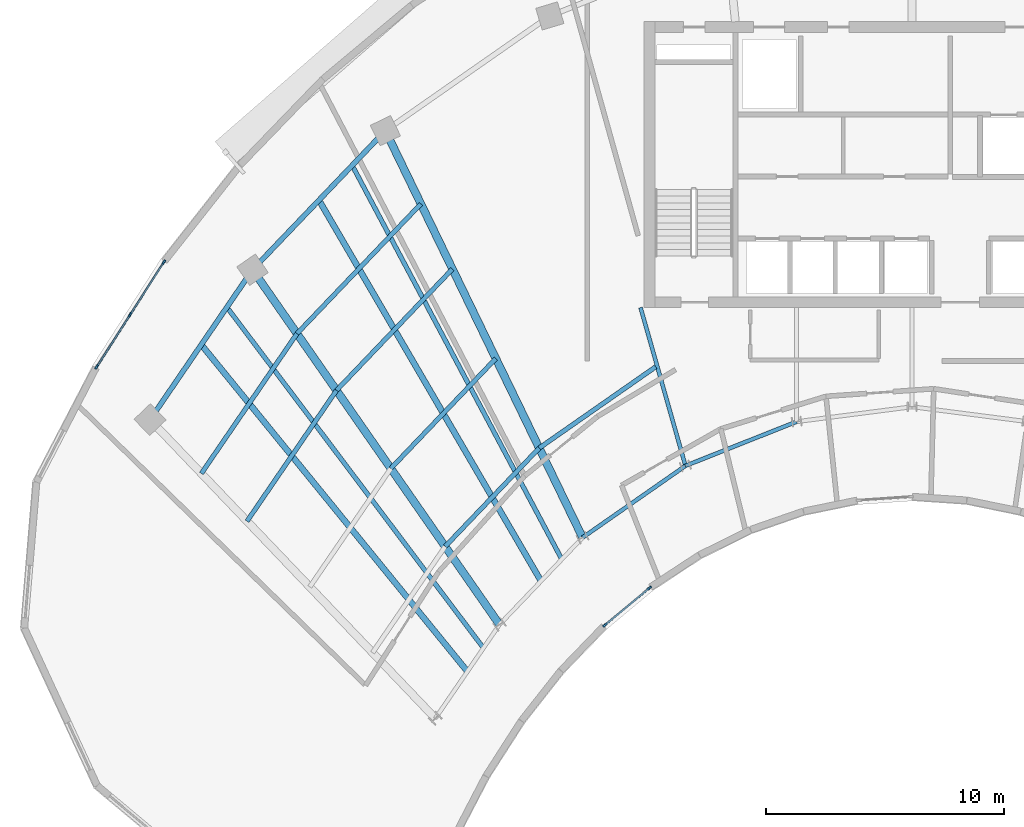
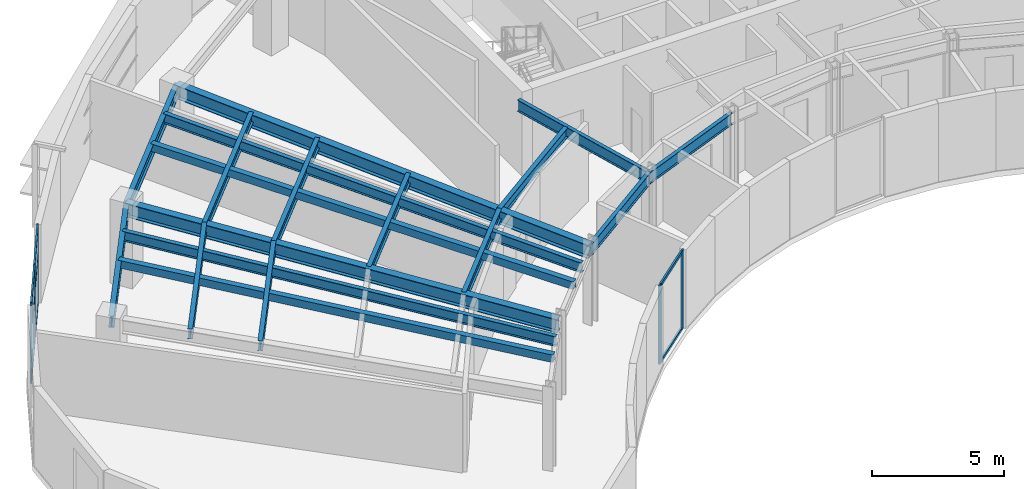
# One storey, part 2 of 14: 18 beams, 13 members, 2 elements without a shape of their own.
"""IFC4 building model written with IfcOpenShell, lengths in metres."""

from ifc_helpers import new_model, si_unit, direction, frame, origin, origin_2d, place, context, subcontext, project, spatial, rectangle, hollow_rectangle, i_section, extrude, source, transform, mapped, material, layer, layer_set, material_profile, profile_set, type_object, type_shapes, element, aggregate, save


model = new_model("IFC4")

# Units and contexts
model_context = context("Model", 3, precision=1e-05, world=origin(), true_north=direction((0.0, 1.0)))
body_context = subcontext(model_context, "Body", "Model", "MODEL_VIEW")
ifc_project = project(units=[si_unit("LENGTHUNIT", "METRE"), si_unit("AREAUNIT", "SQUARE_METRE"), si_unit("VOLUMEUNIT", "CUBIC_METRE"), si_unit("PLANEANGLEUNIT", "RADIAN"), si_unit("MASSUNIT", "GRAM", prefix="KILO")], contexts=[model_context])

# Site, building, storey
site_placement = place(None, origin())
site = spatial("IfcSite", under=ifc_project, at=site_placement, CompositionType="ELEMENT")
building_placement = place(site_placement, origin())
building = spatial("IfcBuilding", under=site, at=building_placement, Name="Breltana Convention Tower", CompositionType="ELEMENT")
storey_placement = place(building_placement, frame((0.0, 0.0, 215.699951171875)))
storey = spatial("IfcBuildingStorey", under=building, at=storey_placement, Name="L52", CompositionType="ELEMENT", Elevation=215.699951171875)

# Beams
ifc_material_1 = material(Name="Steel ASTM A992 Grade 50", Category="steel")
ifc_material_profile_1 = material_profile(ifc_material_1, i_section(OverallWidth=0.19091796875, OverallDepth=0.4599609375, WebThickness=0.010009765625, FlangeThickness=0.01611328125, at=origin_2d()), Name="W18X55")
ifc_profile_set_1 = profile_set([ifc_material_profile_1], Name="Steel ASTM A992 Grade 50")
beam_type_1 = type_object("IfcBeamType", Name="BM-JSG-07", PredefinedType="JOIST", material=ifc_profile_set_1)
shared_shape_1 = source(origin(), body_context, "Body", "SweptSolid", [
    extrude(i_section(OverallWidth=0.19091796875, OverallDepth=0.4599609375, WebThickness=0.010009765625, FlangeThickness=0.01611328125, at=origin_2d()), origin(), (0.0, 0.0, 1.0), 6.654541015625),
])
beam_1_placement = place(storey_placement, frame((20.0791015625, 51.23095703125, 3.41015625), z_axis=(0.564482668195, 0.82544492082, 0.0), x_axis=(-0.82544492082, 0.564482668195, 0.0)))
element("IfcBeam", 1, at=beam_1_placement, inside=storey, type_object=beam_type_1, Name="L52 Composite Floor Joist 01.3", PredefinedType="JOIST", context=body_context, shape_type="MappedRepresentation", body=[
    mapped(shared_shape_1, transform((0.0, 0.0, 0.0), scale=1.0)),
])
shared_shape_2 = source(origin(), body_context, "Body", "SweptSolid", [
    extrude(i_section(OverallWidth=0.19091796875, OverallDepth=0.4599609375, WebThickness=0.010009765625, FlangeThickness=0.01611328125, at=origin_2d()), origin(), (0.0, 0.0, 1.0), 7.111328125),
])
beam_2_placement = place(storey_placement, frame((18.162841796875, 53.2373046875, 3.41015625), z_axis=(0.564446356178, 0.825469751715, 0.0), x_axis=(-0.825469751715, 0.564446356178, 0.0)))
element("IfcBeam", 2, at=beam_2_placement, inside=storey, type_object=beam_type_1, Name="L52 Composite Floor Joist 01.4", PredefinedType="JOIST", context=body_context, shape_type="MappedRepresentation", body=[
    mapped(shared_shape_2, transform((0.0, 0.0, 0.0), scale=1.0)),
])
ifc_material_profile_2 = material_profile(ifc_material_1, hollow_rectangle(XDim=0.25, YDim=0.35009765625, WallThickness=0.011962890625, at=origin_2d()), Name="RHS350X250X12")
ifc_profile_set_2 = profile_set([ifc_material_profile_2], Name="Steel ASTM A992 Grade 50")
beam_type_2 = type_object("IfcBeamType", Name="BM-JSG-12", PredefinedType="JOIST", material=ifc_profile_set_2)
shared_shape_3 = source(origin(), body_context, "Body", "SweptSolid", [
    extrude(hollow_rectangle(XDim=0.25, YDim=0.35009765625, WallThickness=0.011962890625, at=origin_2d()), origin(), (0.0, 0.0, 1.0), 17.691650390625),
])
type_shapes(beam_type_2, [shared_shape_3])
beam_3_placement = place(storey_placement, frame((29.330810546875, 44.923583984375, 3.465087890625), z_axis=(-0.631476958478, 0.775394642044, 0.0), x_axis=(-0.775394642044, -0.631476958478, 0.0)))
element("IfcBeam", 3, at=beam_3_placement, inside=storey, type_object=beam_type_2, Name="L52 Mid-Bay Radial Trimmer 01", PredefinedType="JOIST", context=body_context, shape_type="MappedRepresentation", body=[
    mapped(shared_shape_3, transform((0.0, 0.0, 0.0), scale=1.0)),
])
shared_shape_4 = source(origin(), body_context, "Body", "SweptSolid", [
    extrude(i_section(OverallWidth=0.19091796875, OverallDepth=0.4599609375, WebThickness=0.010009765625, FlangeThickness=0.01611328125, at=origin_2d()), origin(), (0.0, 0.0, 1.0), 17.9072265625),
])
beam_4_placement = place(storey_placement, frame((30.00390625, 45.907958984375, 3.41015625), z_axis=(-0.601382105028, 0.798961553363, 0.0), x_axis=(-0.798961553363, -0.601382105028, 0.0)))
element("IfcBeam", 4, at=beam_4_placement, inside=storey, type_object=beam_type_1, Name="L52 Quarter-Bay Radial Trimmer 01", PredefinedType="JOIST", context=body_context, shape_type="MappedRepresentation", body=[
    mapped(shared_shape_4, transform((0.0, 0.0, 0.0), scale=1.0)),
])
shared_shape_5 = source(origin(), body_context, "Body", "SweptSolid", [
    extrude(i_section(OverallWidth=0.19091796875, OverallDepth=0.4599609375, WebThickness=0.010009765625, FlangeThickness=0.01611328125, at=origin_2d()), origin(), (0.0, 0.0, 1.0), 5.716064453125),
])
beam_5_placement = place(storey_placement, frame((28.396484375, 50.169677734375, 3.41015625), z_axis=(0.690756060045, 0.723087868458, 0.0), x_axis=(-0.723087868458, 0.690756060045, 0.0)))
element("IfcBeam", 5, at=beam_5_placement, inside=storey, type_object=beam_type_1, Name="L52 Composite Floor Joist 02.1", PredefinedType="JOIST", context=body_context, shape_type="MappedRepresentation", body=[
    mapped(shared_shape_5, transform((0.0, 0.0, 0.0), scale=1.0)),
])
shared_shape_6 = source(origin(), body_context, "Body", "SweptSolid", [
    extrude(i_section(OverallWidth=0.19091796875, OverallDepth=0.4599609375, WebThickness=0.010009765625, FlangeThickness=0.01611328125, at=origin_2d()), origin(), (0.0, 0.0, 1.0), 6.381103515625),
])
beam_6_placement = place(storey_placement, frame((26.115966796875, 53.44677734375, 3.41015625), z_axis=(0.690737768889, 0.723105341309, 0.0), x_axis=(-0.723105341309, 0.690737768889, 0.0)))
element("IfcBeam", 6, at=beam_6_placement, inside=storey, type_object=beam_type_1, Name="L52 Composite Floor Joist 02.2", PredefinedType="JOIST", context=body_context, shape_type="MappedRepresentation", body=[
    mapped(shared_shape_6, transform((0.0, 0.0, 0.0), scale=1.0)),
])
shared_shape_7 = source(origin(), body_context, "Body", "SweptSolid", [
    extrude(i_section(OverallWidth=0.19091796875, OverallDepth=0.4599609375, WebThickness=0.010009765625, FlangeThickness=0.01611328125, at=origin_2d()), origin(), (0.0, 0.0, 1.0), 7.046142578125),
])
beam_7_placement = place(storey_placement, frame((23.83544921875, 56.723876953125, 3.41015625), z_axis=(0.690722929904, 0.723119515782, 0.0), x_axis=(-0.723119515782, 0.690722929904, 0.0)))
element("IfcBeam", 7, at=beam_7_placement, inside=storey, type_object=beam_type_1, Name="L52 Composite Floor Joist 02.3", PredefinedType="JOIST", context=body_context, shape_type="MappedRepresentation", body=[
    mapped(shared_shape_7, transform((0.0, 0.0, 0.0), scale=1.0)),
])
shared_shape_8 = source(origin(), body_context, "Body", "SweptSolid", [
    extrude(i_section(OverallWidth=0.19091796875, OverallDepth=0.4599609375, WebThickness=0.010009765625, FlangeThickness=0.01611328125, at=origin_2d()), origin(), (0.0, 0.0, 1.0), 7.529541015625),
])
beam_8_placement = place(storey_placement, frame((22.1767578125, 59.107421875, 3.41015625), z_axis=(0.690725562031, 0.723117001568, 0.0), x_axis=(-0.723117001568, 0.690725562031, 0.0)))
element("IfcBeam", 8, at=beam_8_placement, inside=storey, type_object=beam_type_1, Name="L52 Composite Floor Joist 02.4", PredefinedType="JOIST", context=body_context, shape_type="MappedRepresentation", body=[
    mapped(shared_shape_8, transform((0.0, 0.0, 0.0), scale=1.0)),
])
shared_shape_9 = source(origin(), body_context, "Body", "SweptSolid", [
    extrude(hollow_rectangle(XDim=0.25, YDim=0.35009765625, WallThickness=0.011962890625, at=origin_2d()), origin(), (0.0, 0.0, 1.0), 18.50830078125),
])
beam_9_placement = place(storey_placement, frame((32.421630859375, 48.71875, 3.465087890625), z_axis=(-0.50368319637, 0.863888440537, 0.0), x_axis=(-0.863888440537, -0.50368319637, 0.0)))
element("IfcBeam", 9, at=beam_9_placement, inside=storey, type_object=beam_type_2, Name="L52 Mid-Bay Radial Trimmer 02", PredefinedType="JOIST", context=body_context, shape_type="MappedRepresentation", body=[
    mapped(shared_shape_9, transform((0.0, 0.0, 0.0), scale=1.0)),
])
shared_shape_10 = source(origin(), body_context, "Body", "SweptSolid", [
    extrude(i_section(OverallWidth=0.19091796875, OverallDepth=0.4599609375, WebThickness=0.010009765625, FlangeThickness=0.01611328125, at=origin_2d()), origin(), (0.0, 0.0, 1.0), 18.731689453125),
])
beam_10_placement = place(storey_placement, frame((33.2939453125, 49.6318359375, 3.41015625), z_axis=(-0.469820250451, 0.882762104004, 0.0), x_axis=(-0.882762104004, -0.469820250451, 0.0)))
element("IfcBeam", 10, at=beam_10_placement, inside=storey, type_object=beam_type_1, Name="L52 Quarter-Bay Radial Trimmer 02", PredefinedType="JOIST", context=body_context, shape_type="MappedRepresentation", body=[
    mapped(shared_shape_10, transform((0.0, 0.0, 0.0), scale=1.0)),
])
shared_shape_11 = source(origin(), body_context, "Body", "SweptSolid", [
    extrude(i_section(OverallWidth=0.19091796875, OverallDepth=0.4599609375, WebThickness=0.010009765625, FlangeThickness=0.01611328125, at=origin_2d()), origin(), (0.0, 0.0, 1.0), 5.959228515625),
])
beam_11_placement = place(storey_placement, frame((32.344970703125, 54.302978515625, 3.41015625), z_axis=(0.820160485262, 0.572133531979, 0.0), x_axis=(-0.572133531979, 0.820160485262, 0.0)))
element("IfcBeam", 11, at=beam_11_placement, inside=storey, type_object=beam_type_1, Name="L52 Composite Floor Joist 03.1", PredefinedType="JOIST", context=body_context, shape_type="MappedRepresentation", body=[
    mapped(shared_shape_11, transform((0.0, 0.0, 0.0), scale=1.0)),
])
ifc_material_profile_3 = material_profile(ifc_material_1, i_section(OverallWidth=0.166015625, OverallDepth=0.534912109375, WebThickness=0.01025390625, FlangeThickness=0.0166015625, at=origin_2d()), Name="W21X57")
ifc_profile_set_3 = profile_set([ifc_material_profile_3], Name="Steel ASTM A992 Grade 50")
beam_type_3 = type_object("IfcBeamType", Name="BM-BM-W21X57", PredefinedType="BEAM", material=ifc_profile_set_3)
shared_shape_12 = source(origin(), body_context, "Body", "SweptSolid", [
    extrude(i_section(OverallWidth=0.166015625, OverallDepth=0.534912109375, WebThickness=0.01025390625, FlangeThickness=0.0166015625, at=origin_2d()), origin(), (0.0, 0.0, 1.0), 6.904541015625),
])
type_shapes(beam_type_3, [shared_shape_12])
beam_12_placement = place(storey_placement, frame((36.60009765625, 60.199951171875, 3.37255859375), z_axis=(0.273006781054, -0.962012108811, 0.0), x_axis=(0.962012108811, 0.273006781054, 0.0)))
element("IfcBeam", 12, at=beam_12_placement, inside=storey, type_object=beam_type_3, Name="L52 South Core Tie Girder R04", PredefinedType="BEAM", context=body_context, shape_type="MappedRepresentation", body=[
    mapped(shared_shape_12, transform((0.0, 0.0, 0.0), scale=1.0)),
])
shared_shape_13 = source(origin(), body_context, "Body", "SweptSolid", [
    extrude(i_section(OverallWidth=0.166015625, OverallDepth=0.534912109375, WebThickness=0.01025390625, FlangeThickness=0.0166015625, at=origin_2d()), origin(), (0.0, 0.0, 1.0), 5.265869140625),
])
beam_13_placement = place(storey_placement, frame((34.166259765625, 50.544921875, 3.37255859375), z_axis=(0.820167429517, 0.572123577176, 0.0), x_axis=(-0.572123577176, 0.820167429517, 0.0)))
element("IfcBeam", 13, at=beam_13_placement, inside=storey, type_object=beam_type_3, Name="L52 Inner Ring Beam 03", PredefinedType="BEAM", context=body_context, shape_type="MappedRepresentation", body=[
    mapped(shared_shape_13, transform((0.0, 0.0, 0.0), scale=1.0)),
])
shared_shape_14 = source(origin(), body_context, "Body", "SweptSolid", [
    extrude(i_section(OverallWidth=0.166015625, OverallDepth=0.534912109375, WebThickness=0.01025390625, FlangeThickness=0.0166015625, at=origin_2d()), origin(), (0.0, 0.0, 1.0), 5.022705078125),
])
beam_14_placement = place(storey_placement, frame((38.485107421875, 53.5576171875, 3.37255859375), z_axis=(0.929458966248, 0.368925507469, 0.0), x_axis=(-0.368925507469, 0.929458966248, 0.0)))
element("IfcBeam", 14, at=beam_14_placement, inside=storey, type_object=beam_type_3, Name="L52 Inner Ring Beam 04", PredefinedType="BEAM", context=body_context, shape_type="MappedRepresentation", body=[
    mapped(shared_shape_14, transform((0.0, 0.0, 0.0), scale=1.0)),
])
ifc_material_profile_4 = material_profile(ifc_material_1, i_section(OverallWidth=0.326904296875, OverallDepth=0.6220703125, WebThickness=0.015380859375, FlangeThickness=0.0244140625, at=origin_2d()), Name="W24X131")
ifc_profile_set_4 = profile_set([ifc_material_profile_4], Name="Steel ASTM A992 Grade 50")
beam_type_4 = type_object("IfcBeamType", Name="BM-RG-W24X131", PredefinedType="USERDEFINED", material=ifc_profile_set_4)
shared_shape_15 = source(origin(), body_context, "Body", "SweptSolid", [
    extrude(i_section(OverallWidth=0.326904296875, OverallDepth=0.6220703125, WebThickness=0.015380859375, FlangeThickness=0.0244140625, at=origin_2d()), origin(), (0.0, 0.0, 1.0), 18.1484375),
])
beam_15_placement = place(storey_placement, frame((30.67724609375, 46.892333984375, 3.3291015625), z_axis=(-0.571207556098, 0.820805657788, 0.0), x_axis=(-0.820805657788, -0.571207556098, 0.0)))
element("IfcBeam", 15, at=beam_15_placement, inside=storey, type_object=beam_type_4, Name="L52 Radial Floor Girder R02", ObjectType="GIRDER", PredefinedType="USERDEFINED", context=body_context, shape_type="MappedRepresentation", body=[
    mapped(shared_shape_15, transform((0.0, 0.0, 0.0), scale=1.0)),
])
shared_shape_16 = source(origin(), body_context, "Body", "SweptSolid", [
    extrude(i_section(OverallWidth=0.326904296875, OverallDepth=0.6220703125, WebThickness=0.015380859375, FlangeThickness=0.0244140625, at=origin_2d()), origin(), (0.0, 0.0, 1.0), 18.982421875),
])
beam_16_placement = place(storey_placement, frame((34.166259765625, 50.544921875, 3.3291015625), z_axis=(-0.436118560343, 0.89988921614, 0.0), x_axis=(-0.89988921614, -0.436118560343, 0.0)))
element("IfcBeam", 16, at=beam_16_placement, inside=storey, type_object=beam_type_4, Name="L52 Radial Floor Girder R03", ObjectType="GIRDER", PredefinedType="USERDEFINED", context=body_context, shape_type="MappedRepresentation", body=[
    mapped(shared_shape_16, transform((0.0, 0.0, 0.0), scale=1.0)),
])
ifc_material_profile_5 = material_profile(ifc_material_1, i_section(OverallWidth=0.214111328125, OverallDepth=0.549072265625, WebThickness=0.0146484375, FlangeThickness=0.023681640625, at=origin_2d()), Name="W21X93")
ifc_profile_set_5 = profile_set([ifc_material_profile_5], Name="Steel ASTM A992 Grade 50")
beam_type_5 = type_object("IfcBeamType", Name="BM-SP-W21X93", PredefinedType="SPANDREL", material=ifc_profile_set_5)
shared_shape_17 = source(origin(), body_context, "Body", "SweptSolid", [
    extrude(i_section(OverallWidth=0.214111328125, OverallDepth=0.549072265625, WebThickness=0.0146484375, FlangeThickness=0.023681640625, at=origin_2d()), origin(), (0.0, 0.0, 1.0), 7.625),
])
type_shapes(beam_type_5, [shared_shape_17])
beam_17_placement = place(storey_placement, frame((16.0068359375, 55.494384765625, 3.365478515625), z_axis=(0.564452031902, 0.825465870694, 0.0), x_axis=(-0.825465870694, 0.564452031902, 0.0)))
element("IfcBeam", 17, at=beam_17_placement, inside=storey, type_object=beam_type_5, Name="L52 Outer Spandrel Beam 01", PredefinedType="SPANDREL", context=body_context, shape_type="MappedRepresentation", body=[
    mapped(shared_shape_17, transform((0.0, 0.0, 0.0), scale=1.0)),
])
shared_shape_18 = source(origin(), body_context, "Body", "SweptSolid", [
    extrude(i_section(OverallWidth=0.214111328125, OverallDepth=0.549072265625, WebThickness=0.0146484375, FlangeThickness=0.023681640625, at=origin_2d()), origin(), (0.0, 0.0, 1.0), 8.073974609375),
])
beam_18_placement = place(storey_placement, frame((20.310791015625, 61.78857421875, 3.365478515625), z_axis=(0.69072885448, 0.723113856588, 0.0), x_axis=(-0.723113856588, 0.69072885448, 0.0)))
element("IfcBeam", 18, at=beam_18_placement, inside=storey, type_object=beam_type_5, Name="L52 Outer Spandrel Beam 02", PredefinedType="SPANDREL", context=body_context, shape_type="MappedRepresentation", body=[
    mapped(shared_shape_18, transform((0.0, 0.0, 0.0), scale=1.0)),
])

# Curtain wall, members
ifc_material_2 = material(Name="Aluminium Anodised Bronze Frame", Category="aluminium")
ifc_layer_1 = layer(ifc_material_2, 0.18994140625, Name="Aluminium Anodised Bronze Frame")
ifc_layer_set_1 = layer_set([ifc_layer_1], Name="Aluminium Anodised Bronze Frame")
curtain_wall_type_1 = type_object("IfcCurtainWallType", Name="CW-SYS-1", PredefinedType="NOTDEFINED", material=ifc_layer_set_1)
curtain_wall_1_placement = place(storey_placement, origin())
curtain_wall_1 = element("IfcCurtainWall", 19, at=curtain_wall_1_placement, inside=storey, type_object=curtain_wall_type_1, Name="L52 inner south-court glazing 5", PredefinedType="NOTDEFINED")
ifc_material_3 = material(Name="Aluminium Anodised Bronze", Category="aluminium")
ifc_material_profile_6 = material_profile(ifc_material_3, rectangle(XDim=0.080078125, YDim=0.139892578125, at=origin_2d()), Name="CWT-80X140")
ifc_profile_set_6 = profile_set([ifc_material_profile_6], Name="Aluminium Anodised Bronze")
member_type_1 = type_object("IfcMemberType", Name="CWT-140", PredefinedType="USERDEFINED", material=ifc_profile_set_6)
shared_shape_19 = source(origin(), body_context, "Body", "SweptSolid", [
    extrude(rectangle(XDim=0.080078125, YDim=0.139892578125, at=origin_2d()), origin(), (0.0, 0.0, 1.0), 2.351318359375),
])
member_1_placement = place(storey_placement, frame((36.939208984375, 48.398193359375, 0.0400390625), z_axis=(-0.767931836883, -0.640531571354, 0.0), x_axis=(0.640531571354, -0.767931836883, 0.0)))
member_1 = element("IfcMember", 20, at=member_1_placement, type_object=member_type_1, Name="CW-01 transom 1.1", ObjectType="TRANSOM", PredefinedType="USERDEFINED", context=body_context, shape_type="MappedRepresentation", body=[
    mapped(shared_shape_19, transform((0.0, 0.0, 0.0), scale=1.0)),
])
member_2_placement = place(storey_placement, frame((36.939208984375, 48.398193359375, 3.60009765625), z_axis=(-0.767931836883, -0.640531571354, 0.0), x_axis=(0.640531571354, -0.767931836883, 0.0)))
member_2 = element("IfcMember", 21, at=member_2_placement, type_object=member_type_1, Name="CW-01 transom 1.2", ObjectType="TRANSOM", PredefinedType="USERDEFINED", context=body_context, shape_type="MappedRepresentation", body=[
    mapped(shared_shape_19, transform((0.0, 0.0, 0.0), scale=1.0)),
])

ifc_layer_2 = layer(ifc_material_2, 0.219970703125, Name="Aluminium Anodised Bronze Frame")
ifc_layer_set_2 = layer_set([ifc_layer_2], Name="Aluminium Anodised Bronze Frame")
curtain_wall_type_2 = type_object("IfcCurtainWallType", Name="CW-SYS-4", PredefinedType="NOTDEFINED", material=ifc_layer_set_2)
curtain_wall_2_placement = place(storey_placement, origin())
curtain_wall_2 = element("IfcCurtainWall", 22, at=curtain_wall_2_placement, inside=storey, type_object=curtain_wall_type_2, Name="L52 outer double-skin inner glazing 1", PredefinedType="NOTDEFINED")
ifc_material_profile_7 = material_profile(ifc_material_3, rectangle(XDim=0.070068359375, YDim=0.1201171875, at=origin_2d()), Name="CWT-70X120")
ifc_profile_set_7 = profile_set([ifc_material_profile_7], Name="Aluminium Anodised Bronze")
member_type_2 = type_object("IfcMemberType", Name="CWT-120", PredefinedType="USERDEFINED", material=ifc_profile_set_7)
shared_shape_20 = source(origin(), body_context, "Body", "SweptSolid", [
    extrude(rectangle(XDim=0.070068359375, YDim=0.1201171875, at=origin_2d()), origin(), (0.0, 0.0, 1.0), 2.531494140625),
])
member_3_placement = place(storey_placement, frame((13.787841796875, 57.744384765625, 0.03515625), z_axis=(0.540172540617, 0.841554291988, 0.0), x_axis=(-0.841554291988, 0.540172540617, 0.0)))
member_3 = element("IfcMember", 23, at=member_3_placement, type_object=member_type_2, Name="CW-04 transom 1.1", ObjectType="TRANSOM", PredefinedType="USERDEFINED", context=body_context, shape_type="MappedRepresentation", body=[
    mapped(shared_shape_20, transform((0.0, 0.0, 0.0), scale=1.0)),
])
member_4_placement = place(storey_placement, frame((13.787841796875, 57.744384765625, 2.365966796875), z_axis=(0.540172540617, 0.841554291988, 0.0), x_axis=(-0.841554291988, 0.540172540617, 0.0)))
member_4 = element("IfcMember", 24, at=member_4_placement, type_object=member_type_2, Name="CW-04 transom 1.2", ObjectType="TRANSOM", PredefinedType="USERDEFINED", context=body_context, shape_type="MappedRepresentation", body=[
    mapped(shared_shape_20, transform((0.0, 0.0, 0.0), scale=1.0)),
])
member_5_placement = place(storey_placement, frame((13.787841796875, 57.744384765625, 3.60498046875), z_axis=(0.540172540617, 0.841554291988, 0.0), x_axis=(-0.841554291988, 0.540172540617, 0.0)))
member_5 = element("IfcMember", 25, at=member_5_placement, type_object=member_type_2, Name="CW-04 transom 1.3", ObjectType="TRANSOM", PredefinedType="USERDEFINED", context=body_context, shape_type="MappedRepresentation", body=[
    mapped(shared_shape_20, transform((0.0, 0.0, 0.0), scale=1.0)),
])
member_6_placement = place(storey_placement, frame((15.198486328125, 59.94189453125, 0.03515625), z_axis=(0.540172540617, 0.841554291988, 0.0), x_axis=(-0.841554291988, 0.540172540617, 0.0)))
member_6 = element("IfcMember", 26, at=member_6_placement, type_object=member_type_2, Name="CW-04 transom 2.1", ObjectType="TRANSOM", PredefinedType="USERDEFINED", context=body_context, shape_type="MappedRepresentation", body=[
    mapped(shared_shape_20, transform((0.0, 0.0, 0.0), scale=1.0)),
])
member_7_placement = place(storey_placement, frame((15.198486328125, 59.94189453125, 2.365966796875), z_axis=(0.540172540617, 0.841554291988, 0.0), x_axis=(-0.841554291988, 0.540172540617, 0.0)))
member_7 = element("IfcMember", 27, at=member_7_placement, type_object=member_type_2, Name="CW-04 transom 2.2", ObjectType="TRANSOM", PredefinedType="USERDEFINED", context=body_context, shape_type="MappedRepresentation", body=[
    mapped(shared_shape_20, transform((0.0, 0.0, 0.0), scale=1.0)),
])
member_8_placement = place(storey_placement, frame((15.198486328125, 59.94189453125, 3.60498046875), z_axis=(0.540172540617, 0.841554291988, 0.0), x_axis=(-0.841554291988, 0.540172540617, 0.0)))
member_8 = element("IfcMember", 28, at=member_8_placement, type_object=member_type_2, Name="CW-04 transom 2.3", ObjectType="TRANSOM", PredefinedType="USERDEFINED", context=body_context, shape_type="MappedRepresentation", body=[
    mapped(shared_shape_20, transform((0.0, 0.0, 0.0), scale=1.0)),
])

# Member
ifc_material_profile_8 = material_profile(ifc_material_3, rectangle(XDim=0.080078125, YDim=0.199951171875, at=origin_2d()), Name="CWM-80X200")
ifc_profile_set_8 = profile_set([ifc_material_profile_8], Name="Aluminium Anodised Bronze")
member_type_3 = type_object("IfcMemberType", Name="CWM-200", PredefinedType="MULLION", material=ifc_profile_set_8)
shared_shape_21 = source(origin(), body_context, "Body", "SweptSolid", [
    extrude(rectangle(XDim=0.080078125, YDim=0.199951171875, at=origin_2d()), origin(), (0.0, 0.0, 1.0), 3.64013671875),
])
member_9_placement = place(storey_placement, frame((36.969970703125, 48.423828125, 0.0), z_axis=(0.0, 0.0, 1.0), x_axis=(0.640540750309, -0.767924180628, 0.0)))
member_9 = element("IfcMember", 29, at=member_9_placement, type_object=member_type_3, Name="CW-01 mullion 1", PredefinedType="MULLION", context=body_context, shape_type="MappedRepresentation", body=[
    mapped(shared_shape_21, transform((0.0, 0.0, 0.0), scale=1.0)),
])

member_10_placement = place(storey_placement, frame((35.10302734375, 46.866455078125, 0.0), z_axis=(0.0, 0.0, 1.0), x_axis=(0.640540750309, -0.767924180628, 0.0)))
member_10 = element("IfcMember", 30, at=member_10_placement, type_object=member_type_3, Name="CW-01 mullion 2", PredefinedType="MULLION", context=body_context, shape_type="MappedRepresentation", body=[
    mapped(shared_shape_21, transform((0.0, 0.0, 0.0), scale=1.0)),
])

aggregate(curtain_wall_1, [member_9, member_10, member_1, member_2])

member_11_placement = place(storey_placement, frame((13.76611328125, 57.710693359375, 0.0), z_axis=(0.0, 0.0, 1.0), x_axis=(-0.84154835428, 0.540181791075, 0.0)))
member_11 = element("IfcMember", 31, at=member_11_placement, type_object=member_type_3, Name="CW-04 mullion 1", PredefinedType="MULLION", context=body_context, shape_type="MappedRepresentation", body=[
    mapped(shared_shape_21, transform((0.0, 0.0, 0.0), scale=1.0)),
])

member_12_placement = place(storey_placement, frame((15.1767578125, 59.908203125, 0.0), z_axis=(0.0, 0.0, 1.0), x_axis=(-0.84154835428, 0.540181791075, 0.0)))
member_12 = element("IfcMember", 32, at=member_12_placement, type_object=member_type_3, Name="CW-04 mullion 2", PredefinedType="MULLION", context=body_context, shape_type="MappedRepresentation", body=[
    mapped(shared_shape_21, transform((0.0, 0.0, 0.0), scale=1.0)),
])

member_13_placement = place(storey_placement, frame((16.58740234375, 62.10595703125, 0.0), z_axis=(0.0, 0.0, 1.0), x_axis=(-0.84154835428, 0.540181791075, 0.0)))
member_13 = element("IfcMember", 33, at=member_13_placement, type_object=member_type_3, Name="CW-04 mullion 3", PredefinedType="MULLION", context=body_context, shape_type="MappedRepresentation", body=[
    mapped(shared_shape_21, transform((0.0, 0.0, 0.0), scale=1.0)),
])

aggregate(curtain_wall_2, [member_11, member_12, member_13, member_3, member_4, member_5, member_6, member_7, member_8])

save(model, "model.ifc")
